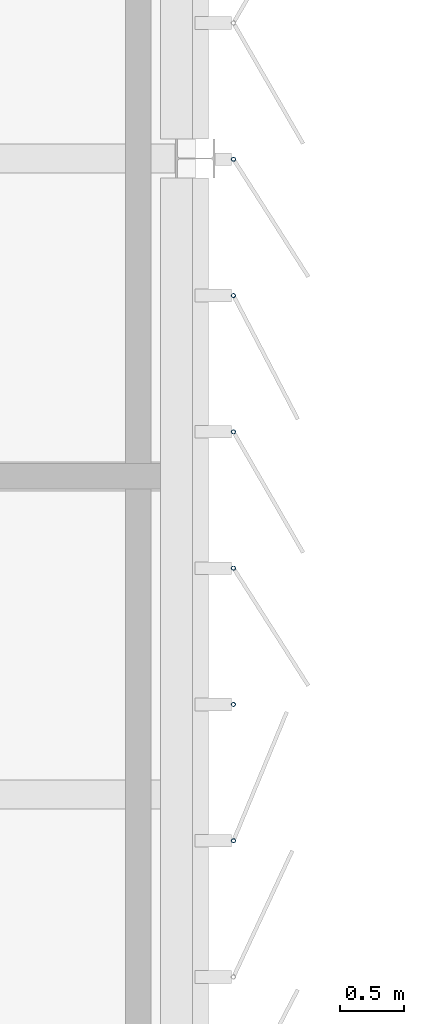
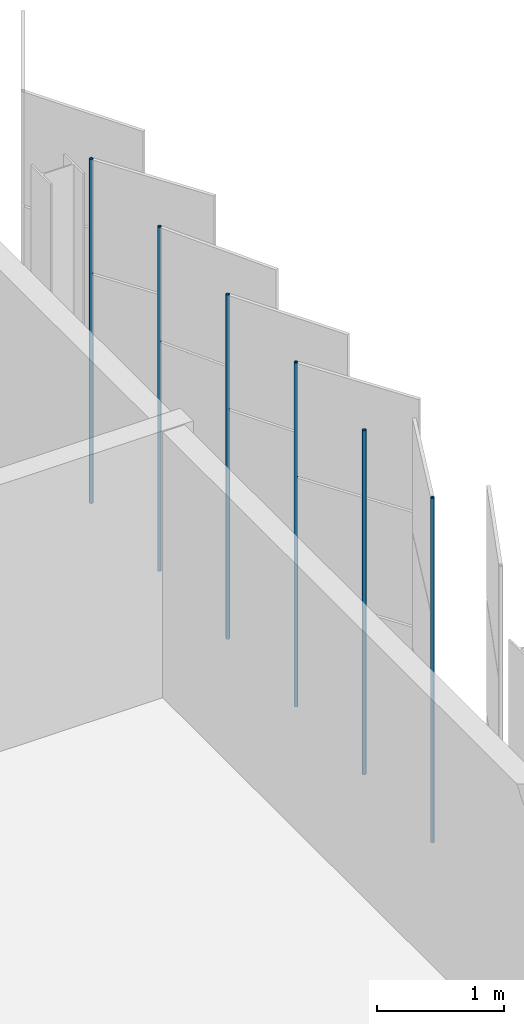
# One storey, part 112 of 214: 6 discrete accessories.
"""IFC4 building model written with IfcOpenShell, lengths in metres."""

from ifc_helpers import new_model, si_unit, direction, frame, origin, origin_2d, place, context, subcontext, project, spatial, hollow_circle, extrude, material, material_profile, profile_set, type_object, element, save


model = new_model("IFC4")

# Units and contexts
model_context = context("Model", 3, precision=1e-05, world=origin(), true_north=direction((0.0, 1.0)))
body_context = subcontext(model_context, "Body", "Model", "MODEL_VIEW")
ifc_project = project(units=[si_unit("LENGTHUNIT", "METRE"), si_unit("AREAUNIT", "SQUARE_METRE"), si_unit("VOLUMEUNIT", "CUBIC_METRE"), si_unit("PLANEANGLEUNIT", "RADIAN"), si_unit("MASSUNIT", "GRAM", prefix="KILO")], contexts=[model_context])

# Site, building, storey
site_placement = place(None, origin())
site = spatial("IfcSite", under=ifc_project, at=site_placement, CompositionType="ELEMENT")
building_placement = place(site_placement, origin())
building = spatial("IfcBuilding", under=site, at=building_placement, Name="Parallax Yard Mobility Hub", CompositionType="ELEMENT")
storey_placement = place(building_placement, frame((0.0, 0.0, 3.300048828125)))
storey = spatial("IfcBuildingStorey", under=building, at=storey_placement, Name="L01", CompositionType="ELEMENT", Elevation=3.300048828125)

# Discrete accessories
ifc_material = material(Name="Steel ASTM A500 Gr C, hot-dip galvanised", Category="steel")
ifc_material_profile = material_profile(ifc_material, hollow_circle(Radius=0.016845703125, WallThickness=0.003173828125, at=origin_2d()), Name="CHS 33.7x3.2")
ifc_profile_set = profile_set([ifc_material_profile], Name="Steel ASTM A500 Gr C, hot-dip galvanised")
discrete_accessory_type = type_object("IfcDiscreteAccessoryType", Name="Hinge post CHS 33.7x3.2", PredefinedType="BRACKET", material=ifc_profile_set)
for number, where, z_axis, x_axis, name in (
    (1, (225.300048828125, 54.63525390625, 0.0), (0.0, 0.0, 1.0), (1.0, 0.0, 0.0), "Hinge post bay 36.3 level L01"),
    (2, (225.300048828125, 55.70703125, 0.0), (0.0, 0.0, 1.0), (1.0, 0.0, 0.0), "Hinge post bay 36.4 level L01"),
    (3, (225.300048828125, 56.77880859375, 0.0), (0.0, 0.0, 1.0), (1.0, 0.0, 0.0), "Hinge post bay 36.5 level L01"),
    (4, (225.300048828125, 57.8505859375, 0.0), (0.0, 0.0, 1.0), (1.0, 0.0, 0.0), "Hinge post bay 36.6 level L01"),
    (5, (225.300048828125, 58.922119140625, 0.0), (0.0, 0.0, 1.0), (1.0, 0.0, 0.0), "Hinge post bay 36.7 level L01"),
    (6, (225.300048828125, 59.993896484375, 0.0), (0.0, 0.0, 1.0), (1.0, 0.0, 0.0), "Hinge post bay 37.1 level L01"),
):
    element("IfcDiscreteAccessory", number, at=place(storey_placement, frame(where, z_axis=z_axis, x_axis=x_axis)), inside=storey, type_object=discrete_accessory_type, Name=name, PredefinedType="BRACKET", context=body_context, shape_type="SweptSolid", body=[
        extrude(hollow_circle(Radius=0.016845703125, WallThickness=0.003173828125, at=origin_2d()), origin(), (0.0, 0.0, 1.0), 3.300048828125),
    ])

save(model, "model.ifc")
